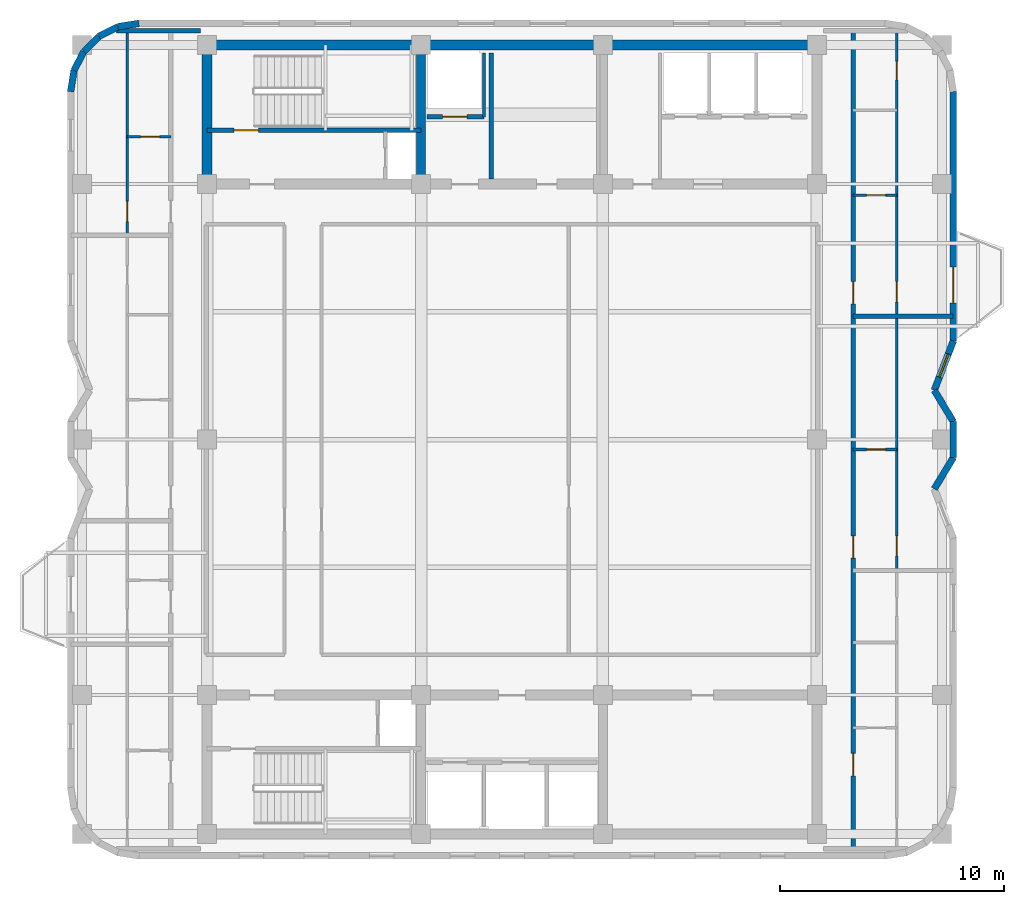
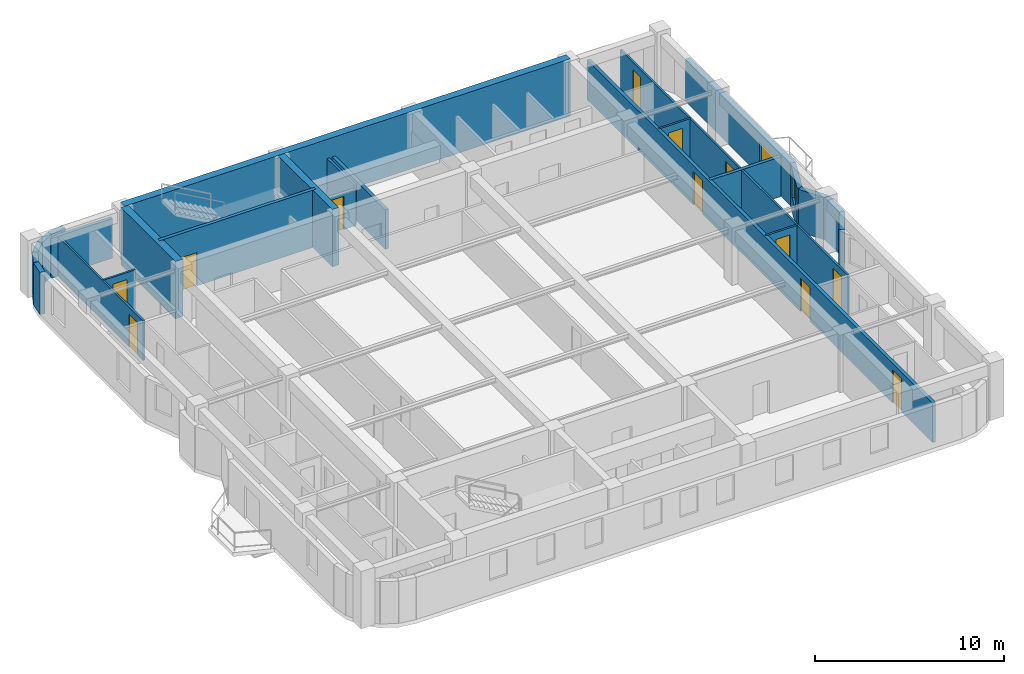
# One storey, part 5 of 8: 26 walls, 13 doors, 1 window, 14 openings.
"""IFC4 building model written with IfcOpenShell, lengths in metres."""

from ifc_helpers import new_model, si_unit, direction, frame, frame_2d, origin, place, context, subcontext, project, spatial, rectangle, extrude, material, layer, layer_set, type_object, element, fill, save


model = new_model("IFC4")

# Units and contexts
model_context = context("Model", 3, precision=1e-05, world=origin(), true_north=direction((0.0, 1.0)))
body_context = subcontext(model_context, "Body", "Model", "MODEL_VIEW")
ifc_project = project(units=[si_unit("LENGTHUNIT", "METRE"), si_unit("AREAUNIT", "SQUARE_METRE"), si_unit("VOLUMEUNIT", "CUBIC_METRE"), si_unit("PLANEANGLEUNIT", "RADIAN"), si_unit("MASSUNIT", "GRAM", prefix="KILO")], contexts=[model_context])

# Site, building, storey
site_placement = place(None, origin())
site = spatial("IfcSite", under=ifc_project, at=site_placement, CompositionType="ELEMENT")
building_placement = place(site_placement, origin())
building = spatial("IfcBuilding", under=site, at=building_placement, Name="Svetorya Sky Lyceum", CompositionType="ELEMENT")
storey_placement = place(building_placement, frame((0.0, 0.0, 233.199951171875)))
storey = spatial("IfcBuildingStorey", under=building, at=storey_placement, Name="L58", CompositionType="ELEMENT", Elevation=233.199951171875)

# Walls
ifc_material_1 = material(Name="Concrete C40/50", Category="concrete")
ifc_layer_1 = layer(ifc_material_1, 0.39990234375)
ifc_layer_set_1 = layer_set([ifc_layer_1], Name="Concrete C40/50")
wall_type_1 = type_object("IfcWallType", Name="WL-CORE-400", PredefinedType="SHEAR", material=ifc_layer_set_1)
wall_1_placement = place(storey_placement, frame((35.14990234375, 39.824951171875, 0.0), z_axis=(0.0, 0.0, 1.0), x_axis=(0.0, 1.0, 0.0)))
element("IfcWall", 1, at=wall_1_placement, inside=storey, type_object=wall_type_1, Name="L58 NC Internal Shear Web WEB1", PredefinedType="SHEAR", context=body_context, shape_type="SweptSolid", body=[
    extrude(rectangle(XDim=5.75, YDim=0.39990234375, at=frame_2d((2.875, 0.0))), origin(), (0.0, 0.0, 1.0), 3.699951171875),
])
ifc_material_2 = material(Name="Concrete C50/60", Category="concrete")
ifc_layer_2 = layer(ifc_material_2, 0.449951171875)
ifc_layer_set_2 = layer_set([ifc_layer_2], Name="Concrete C50/60")
wall_type_2 = type_object("IfcWallType", Name="WL-CORE-450", PredefinedType="SHEAR", material=ifc_layer_set_2)
wall_2_placement = place(storey_placement, frame((25.60009765625, 45.800048828125, 0.0), z_axis=(0.0, 0.0, 1.0), x_axis=(1.0, 0.0, 0.0)))
element("IfcWall", 2, at=wall_2_placement, inside=storey, type_object=wall_type_2, Name="L58 NC Outer Core Shear Wall", PredefinedType="SHEAR", context=body_context, shape_type="SweptSolid", body=[
    extrude(rectangle(XDim=27.199951171875, YDim=0.449951171875, at=frame_2d((13.60009765625, 0.0))), origin(), (0.0, 0.0, 1.0), 3.699951171875),
])
wall_3_placement = place(storey_placement, frame((25.60009765625, 39.824951171875, 0.0), z_axis=(0.0, 0.0, 1.0), x_axis=(0.0, 1.0, 0.0)))
element("IfcWall", 3, at=wall_3_placement, inside=storey, type_object=wall_type_2, Name="L58 NC West Core Shear Wall", PredefinedType="SHEAR", context=body_context, shape_type="SweptSolid", body=[
    extrude(rectangle(XDim=5.75, YDim=0.449951171875, at=frame_2d((2.875, 0.0))), origin(), (0.0, 0.0, 1.0), 3.699951171875),
])
ifc_material_3 = material(Name="Putilovo limestone rainscreen on autoclaved cellular masonry", Category="masonry")
ifc_layer_3 = layer(ifc_material_3, 0.300048828125)
ifc_layer_set_3 = layer_set([ifc_layer_3], Name="Putilovo limestone rainscreen on autoclaved cellular masonry")
wall_type_3 = type_object("IfcWallType", Name="WL-EXT-300", PredefinedType="SOLIDWALL", material=ifc_layer_set_3)
wall_4_placement = place(storey_placement, frame((58.0400390625, 26.0, 0.0), z_axis=(0.0, 0.0, 1.0), x_axis=(0.518939231806, 0.854811133346, 0.0)))
element("IfcWall", 4, at=wall_4_placement, inside=storey, type_object=wall_type_3, Name="L58 Limestone Exterior Wall 14M", PredefinedType="SOLIDWALL", context=body_context, shape_type="SweptSolid", body=[
    extrude(rectangle(XDim=1.6376953125, YDim=0.300048828125, at=frame_2d((0.81884765625, 0.0))), origin(), (0.0, 0.0, 1.0), 2.72998046875),
])
wall_5_placement = place(storey_placement, frame((58.889892578125, 27.39990234375, 0.0), z_axis=(0.0, 0.0, 1.0), x_axis=(0.0, 1.0, 0.0)))
element("IfcWall", 5, at=wall_5_placement, inside=storey, type_object=wall_type_3, Name="L58 Limestone Exterior Wall 15M", PredefinedType="SOLIDWALL", context=body_context, shape_type="SweptSolid", body=[
    extrude(rectangle(XDim=1.60009765625, YDim=0.300048828125, at=frame_2d((0.800048828125, 0.0))), origin(), (0.0, 0.0, 1.0), 2.72998046875),
])
wall_6_placement = place(storey_placement, frame((58.889892578125, 29.0, 0.0), z_axis=(0.0, 0.0, 1.0), x_axis=(-0.518939231806, 0.854811133346, 0.0)))
element("IfcWall", 6, at=wall_6_placement, inside=storey, type_object=wall_type_3, Name="L58 Limestone Exterior Wall 16M", PredefinedType="SOLIDWALL", context=body_context, shape_type="SweptSolid", body=[
    extrude(rectangle(XDim=1.6376953125, YDim=0.300048828125, at=frame_2d((0.81884765625, 0.0))), origin(), (0.0, 0.0, 1.0), 2.72998046875),
])

# Wall, opening, window
wall_7_placement = place(storey_placement, frame((58.0400390625, 30.39990234375, 0.0), z_axis=(0.0, 0.0, 1.0), x_axis=(0.360317400447, 0.932829765249, 0.0)))
wall_7 = element("IfcWall", 7, at=wall_7_placement, inside=storey, type_object=wall_type_3, Name="L58 Limestone Exterior Wall 17M", PredefinedType="SOLIDWALL", context=body_context, shape_type="SweptSolid", body=[
    extrude(rectangle(XDim=2.358642578125, YDim=0.300048828125, at=frame_2d((1.17919921875, 0.0))), origin(), (0.0, 0.0, 1.0), 2.72998046875),
])
opening_1_placement = place(wall_7_placement, frame((0.629150390625, 0.0, 0.919921875)))
opening_1 = element("IfcOpeningElement", 8, at=opening_1_placement, cuts=wall_7, Name="Opening W-R3", PredefinedType="OPENING", context=body_context, shape_type="SweptSolid", body=[
    extrude(rectangle(XDim=1.10009765625, YDim=1.64990234375, at=frame_2d((0.550048828125, 0.824951171875))), frame((0.0, 0.159912109375, 0.0), z_axis=(0.0, -1.0, 0.0), x_axis=(1.0, 0.0, 0.0)), (0.0, 0.0, 1.0), 0.320068359375),
])
ifc_material_4 = material(Name="Thermally broken aluminium frame with triple low-E glazing", Category="aluminium")
window_type = type_object("IfcWindowType", Name="WN-RES-110", PartitioningType="SINGLE_PANEL", PredefinedType="WINDOW", material=ifc_material_4)
window_placement = place(opening_1_placement, origin())
window = element("IfcWindow", 9, at=window_placement, inside=storey, type_object=window_type, Name="L58 Facade Window W-R3.17M.1", OverallHeight=1.64990234375, OverallWidth=1.10009765625, PartitioningType="SINGLE_PANEL", PredefinedType="WINDOW", context=body_context, shape_type="SweptSolid", body=[
    extrude(rectangle(XDim=1.10009765625, YDim=1.64990234375, at=frame_2d((0.550048828125, 0.824951171875))), frame((0.0, 0.030029296875, 0.0), z_axis=(0.0, -1.0, 0.0), x_axis=(1.0, 0.0, 0.0)), (0.0, 0.0, 1.0), 0.06005859375),
])
fill(opening_1, window)

# Wall, opening, door
wall_8_placement = place(storey_placement, frame((58.889892578125, 32.60009765625, 0.0), z_axis=(0.0, 0.0, 1.0), x_axis=(0.0, 1.0, 0.0)))
wall_8 = element("IfcWall", 10, at=wall_8_placement, inside=storey, type_object=wall_type_3, Name="L58 Limestone Exterior Wall 18M", PredefinedType="SOLIDWALL", context=body_context, shape_type="SweptSolid", body=[
    extrude(rectangle(XDim=11.119873046875, YDim=0.300048828125, at=frame_2d((5.56005859375, 0.0))), origin(), (0.0, 0.0, 1.0), 2.72998046875),
])
opening_2_placement = place(wall_8_placement, frame((1.699951171875, 0.0, 0.0)))
opening_2 = element("IfcOpeningElement", 11, at=opening_2_placement, cuts=wall_8, Name="Opening D-BL1", PredefinedType="OPENING", context=body_context, shape_type="SweptSolid", body=[
    extrude(rectangle(XDim=1.60009765625, YDim=2.10009765625, at=frame_2d((0.800048828125, 1.050048828125))), frame((0.0, 0.159912109375, 0.0), z_axis=(0.0, -1.0, 0.0), x_axis=(1.0, 0.0, 0.0)), (0.0, 0.0, 1.0), 0.320068359375),
])
ifc_material_5 = material(Name="Insulated glazed aluminium balcony door", Category="aluminium")
door_type_1 = type_object("IfcDoorType", Name="DR-BAL-1600", OperationType="DOUBLE_DOOR_SINGLE_SWING", PredefinedType="DOOR", material=ifc_material_5)
door_1_placement = place(opening_2_placement, origin())
door_1 = element("IfcDoor", 12, at=door_1_placement, inside=storey, type_object=door_type_1, Name="L58 Balcony BAL-E1 Door", OperationType="DOUBLE_DOOR_SINGLE_SWING", OverallHeight=2.10009765625, OverallWidth=1.60009765625, PredefinedType="DOOR", context=body_context, shape_type="SweptSolid", body=[
    extrude(rectangle(XDim=1.60009765625, YDim=2.10009765625, at=frame_2d((0.800048828125, 1.050048828125))), frame((0.0, 0.02490234375, 0.0), z_axis=(0.0, -1.0, 0.0), x_axis=(1.0, 0.0, 0.0)), (0.0, 0.0, 1.0), 0.050048828125),
])
fill(opening_2, door_1)

# Walls
wall_9_placement = place(storey_placement, frame((22.56005859375, 46.77001953125, 0.0), z_axis=(0.0, 0.0, 1.0), x_axis=(-0.987669453596, -0.156553666304, 0.0)))
element("IfcWall", 13, at=wall_9_placement, inside=storey, type_object=wall_type_3, Name="L58 Limestone Exterior Wall 25M", PredefinedType="SOLIDWALL", context=body_context, shape_type="SweptSolid", body=[
    extrude(rectangle(XDim=0.954345703125, YDim=0.300048828125, at=frame_2d((0.47705078125, 0.0))), origin(), (0.0, 0.0, 1.0), 2.72998046875),
])
wall_10_placement = place(storey_placement, frame((21.617431640625, 46.62060546875, 0.0), z_axis=(0.0, 0.0, 1.0), x_axis=(-0.891023873617, -0.45395644796, 0.0)))
element("IfcWall", 14, at=wall_10_placement, inside=storey, type_object=wall_type_3, Name="L58 Limestone Exterior Wall 26M", PredefinedType="SOLIDWALL", context=body_context, shape_type="SweptSolid", body=[
    extrude(rectangle(XDim=0.9541015625, YDim=0.300048828125, at=frame_2d((0.47705078125, 0.0))), origin(), (0.0, 0.0, 1.0), 2.72998046875),
])
wall_11_placement = place(storey_placement, frame((20.767333984375, 46.1875, 0.0), z_axis=(0.0, 0.0, 1.0), x_axis=(-0.707106781187, -0.707106781187, 0.0)))
element("IfcWall", 15, at=wall_11_placement, inside=storey, type_object=wall_type_3, Name="L58 Limestone Exterior Wall 27M", PredefinedType="SOLIDWALL", context=body_context, shape_type="SweptSolid", body=[
    extrude(rectangle(XDim=0.954345703125, YDim=0.300048828125, at=frame_2d((0.47705078125, 0.0))), origin(), (0.0, 0.0, 1.0), 2.72998046875),
])
wall_12_placement = place(storey_placement, frame((20.092529296875, 45.5126953125, 0.0), z_axis=(0.0, 0.0, 1.0), x_axis=(-0.454159573051, -0.890920356825, 0.0)))
element("IfcWall", 16, at=wall_12_placement, inside=storey, type_object=wall_type_3, Name="L58 Limestone Exterior Wall 28M", PredefinedType="SOLIDWALL", context=body_context, shape_type="SweptSolid", body=[
    extrude(rectangle(XDim=0.9541015625, YDim=0.300048828125, at=frame_2d((0.47705078125, 0.0))), origin(), (0.0, 0.0, 1.0), 2.72998046875),
])
wall_13_placement = place(storey_placement, frame((19.6591796875, 44.66259765625, 0.0), z_axis=(0.0, 0.0, 1.0), x_axis=(-0.156304114255, -0.987708977314, 0.0)))
element("IfcWall", 17, at=wall_13_placement, inside=storey, type_object=wall_type_3, Name="L58 Limestone Exterior Wall 29M", PredefinedType="SOLIDWALL", context=body_context, shape_type="SweptSolid", body=[
    extrude(rectangle(XDim=0.954345703125, YDim=0.300048828125, at=frame_2d((0.47705078125, 0.0))), origin(), (0.0, 0.0, 1.0), 2.72998046875),
])

# Wall, opening, door
ifc_material_6 = material(Name="Twin-stud galvanized framing with double fireboard", Category="gypsum")
ifc_layer_4 = layer(ifc_material_6, 0.1201171875)
ifc_layer_set_4 = layer_set([ifc_layer_4], Name="Twin-stud galvanized framing with double fireboard")
wall_type_4 = type_object("IfcWallType", Name="WL-PART-120", PredefinedType="PARTITIONING", material=ifc_layer_set_4)
wall_14_placement = place(storey_placement, frame((22.030029296875, 41.705078125, 0.0), z_axis=(0.0, 0.0, 1.0), x_axis=(1.0, 0.0, 0.0)))
wall_14 = element("IfcWall", 18, at=wall_14_placement, inside=storey, type_object=wall_type_4, Name="L58 Interior Partition W4-WH1", PredefinedType="PARTITIONING", context=body_context, shape_type="SweptSolid", body=[
    extrude(rectangle(XDim=1.949951171875, YDim=0.1201171875, at=frame_2d((0.97509765625, 0.0))), origin(), (0.0, 0.0, 1.0), 2.56005859375),
])
opening_3_placement = place(wall_14_placement, frame((0.60009765625, 0.0, 0.0)))
opening_3 = element("IfcOpeningElement", 19, at=opening_3_placement, cuts=wall_14, Name="Opening D-BT1", PredefinedType="OPENING", context=body_context, shape_type="SweptSolid", body=[
    extrude(rectangle(XDim=0.85009765625, YDim=2.10009765625, at=frame_2d((0.425048828125, 1.050048828125))), frame((0.0, 0.070068359375, 0.0), z_axis=(0.0, -1.0, 0.0), x_axis=(1.0, 0.0, 0.0)), (0.0, 0.0, 1.0), 0.14013671875),
])
ifc_material_7 = material(Name="Moisture-resistant laminate bathroom door")
door_type_2 = type_object("IfcDoorType", Name="DR-WET-850", OperationType="SINGLE_SWING_LEFT", PredefinedType="DOOR", material=ifc_material_7)
door_2_placement = place(opening_3_placement, origin())
door_2 = element("IfcDoor", 20, at=door_2_placement, inside=storey, type_object=door_type_2, Name="Apartment W4 Bathroom Door", OperationType="SINGLE_SWING_RIGHT", OverallHeight=2.10009765625, OverallWidth=0.85009765625, PredefinedType="DOOR", context=body_context, shape_type="SweptSolid", body=[
    extrude(rectangle(XDim=0.85009765625, YDim=2.10009765625, at=frame_2d((0.425048828125, 1.050048828125))), frame((0.0, 0.02490234375, 0.0), z_axis=(0.0, -1.0, 0.0), x_axis=(1.0, 0.0, 0.0)), (0.0, 0.0, 1.0), 0.050048828125),
])
fill(opening_3, door_2)

wall_15_placement = place(storey_placement, frame((22.030029296875, 37.364990234375, 0.0), z_axis=(0.0, 0.0, 1.0), x_axis=(0.0, 1.0, 0.0)))
wall_15 = element("IfcWall", 21, at=wall_15_placement, inside=storey, type_object=wall_type_4, Name="L58 Interior Partition W4-WV", PredefinedType="PARTITIONING", context=body_context, shape_type="SweptSolid", body=[
    extrude(rectangle(XDim=9.044921875, YDim=0.1201171875, at=frame_2d((4.5224609375, 0.0))), origin(), (0.0, 0.0, 1.0), 2.56005859375),
])
opening_4_placement = place(wall_15_placement, frame((0.56005859375, 0.0, 0.0)))
opening_4 = element("IfcOpeningElement", 22, at=opening_4_placement, cuts=wall_15, Name="Opening D-RM1", PredefinedType="OPENING", context=body_context, shape_type="SweptSolid", body=[
    extrude(rectangle(XDim=0.89990234375, YDim=2.10009765625, at=frame_2d((0.449951171875, 1.050048828125))), frame((0.0, 0.070068359375, 0.0), z_axis=(0.0, -1.0, 0.0), x_axis=(1.0, 0.0, 0.0)), (0.0, 0.0, 1.0), 0.14013671875),
])
ifc_material_8 = material(Name="Lacquered birch veneer internal door")
door_type_3 = type_object("IfcDoorType", Name="DR-INT-900", OperationType="SINGLE_SWING_LEFT", PredefinedType="DOOR", material=ifc_material_8)
door_3_placement = place(opening_4_placement, origin())
door_3 = element("IfcDoor", 23, at=door_3_placement, inside=storey, type_object=door_type_3, Name="Apartment W4 Living Door", OperationType="SINGLE_SWING_LEFT", OverallHeight=2.10009765625, OverallWidth=0.89990234375, PredefinedType="DOOR", context=body_context, shape_type="SweptSolid", body=[
    extrude(rectangle(XDim=0.89990234375, YDim=2.10009765625, at=frame_2d((0.449951171875, 1.050048828125))), frame((0.0, 0.02490234375, 0.0), z_axis=(0.0, -1.0, 0.0), x_axis=(1.0, 0.0, 0.0)), (0.0, 0.0, 1.0), 0.050048828125),
])
fill(opening_4, door_3)

wall_16_placement = place(storey_placement, frame((54.419921875, 27.760009765625, 0.0), z_axis=(0.0, 0.0, 1.0), x_axis=(1.0, 0.0, 0.0)))
wall_16 = element("IfcWall", 24, at=wall_16_placement, inside=storey, type_object=wall_type_4, Name="L58 Interior Partition E2-WH1", PredefinedType="PARTITIONING", context=body_context, shape_type="SweptSolid", body=[
    extrude(rectangle(XDim=1.9501953125, YDim=0.1201171875, at=frame_2d((0.97509765625, 0.0))), origin(), (0.0, 0.0, 1.0), 2.56005859375),
])
opening_5_placement = place(wall_16_placement, frame((0.60009765625, 0.0, 0.0)))
opening_5 = element("IfcOpeningElement", 25, at=opening_5_placement, cuts=wall_16, Name="Opening D-BT1", PredefinedType="OPENING", context=body_context, shape_type="SweptSolid", body=[
    extrude(rectangle(XDim=0.85009765625, YDim=2.10009765625, at=frame_2d((0.425048828125, 1.050048828125))), frame((0.0, 0.070068359375, 0.0), z_axis=(0.0, -1.0, 0.0), x_axis=(1.0, 0.0, 0.0)), (0.0, 0.0, 1.0), 0.14013671875),
])
door_4_placement = place(opening_5_placement, origin())
door_4 = element("IfcDoor", 26, at=door_4_placement, inside=storey, type_object=door_type_2, Name="Apartment E2 Bathroom Door", OperationType="SINGLE_SWING_LEFT", OverallHeight=2.10009765625, OverallWidth=0.85009765625, PredefinedType="DOOR", context=body_context, shape_type="SweptSolid", body=[
    extrude(rectangle(XDim=0.85009765625, YDim=2.10009765625, at=frame_2d((0.425048828125, 1.050048828125))), frame((0.0, 0.02490234375, 0.0), z_axis=(0.0, -1.0, 0.0), x_axis=(1.0, 0.0, 0.0)), (0.0, 0.0, 1.0), 0.050048828125),
])
fill(opening_5, door_4)

wall_17_placement = place(storey_placement, frame((56.3701171875, 22.39990234375, 0.0), z_axis=(0.0, 0.0, 1.0), x_axis=(0.0, 1.0, 0.0)))
wall_17 = element("IfcWall", 27, at=wall_17_placement, inside=storey, type_object=wall_type_4, Name="L58 Interior Partition E2-WV", PredefinedType="PARTITIONING", context=body_context, shape_type="SweptSolid", body=[
    extrude(rectangle(XDim=11.260009765625, YDim=0.1201171875, at=frame_2d((5.6298828125, 0.0))), origin(), (0.0, 0.0, 1.0), 2.56005859375),
])
opening_6_placement = place(wall_17_placement, frame((0.610107421875, 0.0, 0.0)))
opening_6 = element("IfcOpeningElement", 28, at=opening_6_placement, cuts=wall_17, Name="Opening D-RM1", PredefinedType="OPENING", context=body_context, shape_type="SweptSolid", body=[
    extrude(rectangle(XDim=0.89990234375, YDim=2.10009765625, at=frame_2d((0.449951171875, 1.050048828125))), frame((0.0, 0.070068359375, 0.0), z_axis=(0.0, -1.0, 0.0), x_axis=(1.0, 0.0, 0.0)), (0.0, 0.0, 1.0), 0.14013671875),
])
door_5_placement = place(opening_6_placement, origin())
door_5 = element("IfcDoor", 29, at=door_5_placement, inside=storey, type_object=door_type_3, Name="Apartment E2 Living Door", OperationType="SINGLE_SWING_RIGHT", OverallHeight=2.10009765625, OverallWidth=0.89990234375, PredefinedType="DOOR", context=body_context, shape_type="SweptSolid", body=[
    extrude(rectangle(XDim=0.89990234375, YDim=2.10009765625, at=frame_2d((0.449951171875, 1.050048828125))), frame((0.0, 0.02490234375, 0.0), z_axis=(0.0, -1.0, 0.0), x_axis=(1.0, 0.0, 0.0)), (0.0, 0.0, 1.0), 0.050048828125),
])
fill(opening_6, door_5)

wall_18_placement = place(storey_placement, frame((54.419921875, 39.10009765625, 0.0), z_axis=(0.0, 0.0, 1.0), x_axis=(1.0, 0.0, 0.0)))
wall_18 = element("IfcWall", 30, at=wall_18_placement, inside=storey, type_object=wall_type_4, Name="L58 Interior Partition E3-WH1", PredefinedType="PARTITIONING", context=body_context, shape_type="SweptSolid", body=[
    extrude(rectangle(XDim=1.9501953125, YDim=0.1201171875, at=frame_2d((0.97509765625, 0.0))), origin(), (0.0, 0.0, 1.0), 2.56005859375),
])
opening_7_placement = place(wall_18_placement, frame((0.60009765625, 0.0, 0.0)))
opening_7 = element("IfcOpeningElement", 31, at=opening_7_placement, cuts=wall_18, Name="Opening D-BT1", PredefinedType="OPENING", context=body_context, shape_type="SweptSolid", body=[
    extrude(rectangle(XDim=0.85009765625, YDim=2.10009765625, at=frame_2d((0.425048828125, 1.050048828125))), frame((0.0, 0.070068359375, 0.0), z_axis=(0.0, -1.0, 0.0), x_axis=(1.0, 0.0, 0.0)), (0.0, 0.0, 1.0), 0.14013671875),
])
door_6_placement = place(opening_7_placement, origin())
door_6 = element("IfcDoor", 32, at=door_6_placement, inside=storey, type_object=door_type_2, Name="Apartment E3 Bathroom Door", OperationType="SINGLE_SWING_RIGHT", OverallHeight=2.10009765625, OverallWidth=0.85009765625, PredefinedType="DOOR", context=body_context, shape_type="SweptSolid", body=[
    extrude(rectangle(XDim=0.85009765625, YDim=2.10009765625, at=frame_2d((0.425048828125, 1.050048828125))), frame((0.0, 0.02490234375, 0.0), z_axis=(0.0, -1.0, 0.0), x_axis=(1.0, 0.0, 0.0)), (0.0, 0.0, 1.0), 0.050048828125),
])
fill(opening_7, door_6)

# Wall, openings, doors
wall_19_placement = place(storey_placement, frame((56.3701171875, 33.739990234375, 0.0), z_axis=(0.0, 0.0, 1.0), x_axis=(0.0, 1.0, 0.0)))
wall_19 = element("IfcWall", 33, at=wall_19_placement, inside=storey, type_object=wall_type_4, Name="L58 Interior Partition E3-WV", PredefinedType="PARTITIONING", context=body_context, shape_type="SweptSolid", body=[
    extrude(rectangle(XDim=12.669921875, YDim=0.1201171875, at=frame_2d((6.3349609375, 0.0))), origin(), (0.0, 0.0, 1.0), 2.56005859375),
])
opening_8_placement = place(wall_19_placement, frame((0.610107421875, 0.0, 0.0)))
opening_8 = element("IfcOpeningElement", 34, at=opening_8_placement, cuts=wall_19, Name="Opening D-RM1", PredefinedType="OPENING", context=body_context, shape_type="SweptSolid", body=[
    extrude(rectangle(XDim=0.89990234375, YDim=2.10009765625, at=frame_2d((0.449951171875, 1.050048828125))), frame((0.0, 0.070068359375, 0.0), z_axis=(0.0, -1.0, 0.0), x_axis=(1.0, 0.0, 0.0)), (0.0, 0.0, 1.0), 0.14013671875),
])
opening_9_placement = place(wall_19_placement, frame((10.510009765625, 0.0, 0.0)))
opening_9 = element("IfcOpeningElement", 35, at=opening_9_placement, cuts=wall_19, Name="Opening D-BT2", PredefinedType="OPENING", context=body_context, shape_type="SweptSolid", body=[
    extrude(rectangle(XDim=0.820068359375, YDim=2.080078125, at=frame_2d((0.41015625, 1.0400390625))), frame((0.0, 0.070068359375, 0.0), z_axis=(0.0, -1.0, 0.0), x_axis=(1.0, 0.0, 0.0)), (0.0, 0.0, 1.0), 0.14013671875),
])
door_7_placement = place(opening_8_placement, origin())
door_7 = element("IfcDoor", 36, at=door_7_placement, inside=storey, type_object=door_type_3, Name="Apartment E3 Living Door", OperationType="SINGLE_SWING_LEFT", OverallHeight=2.10009765625, OverallWidth=0.89990234375, PredefinedType="DOOR", context=body_context, shape_type="SweptSolid", body=[
    extrude(rectangle(XDim=0.89990234375, YDim=2.10009765625, at=frame_2d((0.449951171875, 1.050048828125))), frame((0.0, 0.02490234375, 0.0), z_axis=(0.0, -1.0, 0.0), x_axis=(1.0, 0.0, 0.0)), (0.0, 0.0, 1.0), 0.050048828125),
])
fill(opening_8, door_7)
ifc_material_9 = material(Name="Compact moisture-resistant laminate closet door")
door_type_4 = type_object("IfcDoorType", Name="DR-WET-820", OperationType="SINGLE_SWING_LEFT", PredefinedType="DOOR", material=ifc_material_9)
door_8_placement = place(opening_9_placement, origin())
door_8 = element("IfcDoor", 37, at=door_8_placement, inside=storey, type_object=door_type_4, Name="Apartment E3 Study Door", OperationType="SINGLE_SWING_RIGHT", OverallHeight=2.080078125, OverallWidth=0.820068359375, PredefinedType="DOOR", context=body_context, shape_type="SweptSolid", body=[
    extrude(rectangle(XDim=0.820068359375, YDim=2.080078125, at=frame_2d((0.41015625, 1.0400390625))), frame((0.0, 0.02490234375, 0.0), z_axis=(0.0, -1.0, 0.0), x_axis=(1.0, 0.0, 0.0)), (0.0, 0.0, 1.0), 0.050048828125),
])
fill(opening_9, door_8)

# Wall
ifc_material_10 = material(Name="Autoclaved cellular masonry blockwork with acoustic render", Category="masonry")
ifc_layer_5 = layer(ifc_material_10, 0.14990234375)
ifc_layer_set_5 = layer_set([ifc_layer_5], Name="Autoclaved cellular masonry blockwork with acoustic render")
wall_type_5 = type_object("IfcWallType", Name="WL-PART-150", PredefinedType="PARTITIONING", material=ifc_layer_set_5)
wall_20_placement = place(storey_placement, frame((37.949951171875, 42.60009765625, 0.0), z_axis=(0.0, 0.0, 1.0), x_axis=(0.0, 1.0, 0.0)))
element("IfcWall", 38, at=wall_20_placement, inside=storey, type_object=wall_type_5, Name="L58 Interior Partition NC-FL1SIDE", PredefinedType="PARTITIONING", context=body_context, shape_type="SweptSolid", body=[
    extrude(rectangle(XDim=2.849853515625, YDim=0.14990234375, at=frame_2d((1.4248046875, 0.0))), origin(), (0.0, 0.0, 1.0), 2.56005859375),
])

# Wall, opening, door
ifc_material_11 = material(Name="Autoclaved cellular masonry blockwork with gypsum plaster", Category="masonry")
ifc_layer_6 = layer(ifc_material_11, 0.199951171875)
ifc_layer_set_6 = layer_set([ifc_layer_6], Name="Autoclaved cellular masonry blockwork with gypsum plaster")
wall_type_6 = type_object("IfcWallType", Name="WL-PART-200", PredefinedType="PARTITIONING", material=ifc_layer_set_6)
wall_21_placement = place(storey_placement, frame((37.949951171875, 42.60009765625, 0.0), z_axis=(0.0, 0.0, 1.0), x_axis=(-1.0, 0.0, 0.0)))
wall_21 = element("IfcWall", 39, at=wall_21_placement, inside=storey, type_object=wall_type_6, Name="L58 Interior Partition NC-FL1W", PredefinedType="PARTITIONING", context=body_context, shape_type="SweptSolid", body=[
    extrude(rectangle(XDim=2.550048828125, YDim=0.199951171875, at=frame_2d((1.27490234375, 0.0))), origin(), (0.0, 0.0, 1.0), 2.330078125),
])
opening_10_placement = place(wall_21_placement, frame((0.75, 0.0, 0.0)))
opening_10 = element("IfcOpeningElement", 40, at=opening_10_placement, cuts=wall_21, Name="Opening LD-FL", PredefinedType="OPENING", context=body_context, shape_type="SweptSolid", body=[
    extrude(rectangle(XDim=1.10009765625, YDim=2.14990234375, at=frame_2d((0.550048828125, 1.074951171875))), frame((0.0, 0.10986328125, 0.0), z_axis=(0.0, -1.0, 0.0), x_axis=(1.0, 0.0, 0.0)), (0.0, 0.0, 1.0), 0.219970703125),
])
ifc_material_12 = material(Name="Fire-rated stainless AISI 304 firefighting lift landing door")
door_type_5 = type_object("IfcDoorType", Name="DR-LIFT-1100", OperationType="SLIDING_TO_LEFT", PredefinedType="DOOR", material=ifc_material_12)
door_9_placement = place(opening_10_placement, origin())
door_9 = element("IfcDoor", 41, at=door_9_placement, inside=storey, type_object=door_type_5, Name="L58 Firefighting Lift FL1 Landing Door", OperationType="SLIDING_TO_LEFT", OverallHeight=2.14990234375, OverallWidth=1.10009765625, PredefinedType="DOOR", context=body_context, shape_type="SweptSolid", body=[
    extrude(rectangle(XDim=1.10009765625, YDim=2.14990234375, at=frame_2d((0.550048828125, 1.074951171875))), frame((0.0, 0.02490234375, 0.0), z_axis=(0.0, -1.0, 0.0), x_axis=(1.0, 0.0, 0.0)), (0.0, 0.0, 1.0), 0.050048828125),
])
fill(opening_10, door_9)

# Walls
wall_22_placement = place(storey_placement, frame((38.280029296875, 39.820068359375, 0.0), z_axis=(0.0, 0.0, 1.0), x_axis=(0.0, 1.0, 0.0)))
element("IfcWall", 42, at=wall_22_placement, inside=storey, type_object=wall_type_6, Name="L58 Interior Partition NC-FFLDIV", PredefinedType="PARTITIONING", context=body_context, shape_type="SweptSolid", body=[
    extrude(rectangle(XDim=5.6298828125, YDim=0.199951171875, at=frame_2d((2.81494140625, 0.0))), origin(), (0.0, 0.0, 1.0), 2.56005859375),
])
wall_23_placement = place(storey_placement, frame((21.5458984375, 46.449951171875, 0.0), z_axis=(0.0, 0.0, 1.0), x_axis=(1.0, 0.0, 0.0)))
element("IfcWall", 43, at=wall_23_placement, inside=storey, type_object=wall_type_6, Name="L58 Interior Partition W-CAP-N", PredefinedType="PARTITIONING", context=body_context, shape_type="SweptSolid", body=[
    extrude(rectangle(XDim=3.754150390625, YDim=0.199951171875, at=frame_2d((1.876953125, 0.0))), origin(), (0.0, 0.0, 1.0), 2.56005859375),
])
wall_24_placement = place(storey_placement, frame((54.419921875, 33.699951171875, 0.0), z_axis=(0.0, 0.0, 1.0), x_axis=(1.0, 0.0, 0.0)))
element("IfcWall", 44, at=wall_24_placement, inside=storey, type_object=wall_type_6, Name="L58 Interior Partition E-PARTY-2", PredefinedType="PARTITIONING", context=body_context, shape_type="SweptSolid", body=[
    extrude(rectangle(XDim=4.4501953125, YDim=0.199951171875, at=frame_2d((2.22509765625, 0.0))), origin(), (0.0, 0.0, 1.0), 2.56005859375),
])

# Wall, openings, doors
wall_25_placement = place(storey_placement, frame((54.419921875, 9.949951171875, 0.0), z_axis=(0.0, 0.0, 1.0), x_axis=(0.0, 1.0, 0.0)))
wall_25 = element("IfcWall", 45, at=wall_25_placement, inside=storey, type_object=wall_type_6, Name="L58 Interior Partition E-CORRW", PredefinedType="PARTITIONING", context=body_context, shape_type="SweptSolid", body=[
    extrude(rectangle(XDim=36.5, YDim=0.199951171875, at=frame_2d((18.25, 0.0))), origin(), (0.0, 0.0, 1.0), 2.56005859375),
])
opening_11_placement = place(wall_25_placement, frame((3.25, 0.0, 0.0)))
opening_11 = element("IfcOpeningElement", 46, at=opening_11_placement, cuts=wall_25, Name="Opening D-APT1", PredefinedType="OPENING", context=body_context, shape_type="SweptSolid", body=[
    extrude(rectangle(XDim=1.0, YDim=2.14990234375, at=frame_2d((0.5, 1.074951171875))), frame((0.0, 0.10986328125, 0.0), z_axis=(0.0, -1.0, 0.0), x_axis=(1.0, 0.0, 0.0)), (0.0, 0.0, 1.0), 0.219970703125),
])
opening_12_placement = place(wall_25_placement, frame((12.9599609375, 0.0, 0.0)))
opening_12 = element("IfcOpeningElement", 47, at=opening_12_placement, cuts=wall_25, Name="Opening D-APT1", PredefinedType="OPENING", context=body_context, shape_type="SweptSolid", body=[
    extrude(rectangle(XDim=1.0, YDim=2.14990234375, at=frame_2d((0.5, 1.074951171875))), frame((0.0, 0.10986328125, 0.0), z_axis=(0.0, -1.0, 0.0), x_axis=(1.0, 0.0, 0.0)), (0.0, 0.0, 1.0), 0.219970703125),
])
opening_13_placement = place(wall_25_placement, frame((24.300048828125, 0.0, 0.0)))
opening_13 = element("IfcOpeningElement", 48, at=opening_13_placement, cuts=wall_25, Name="Opening D-APT1", PredefinedType="OPENING", context=body_context, shape_type="SweptSolid", body=[
    extrude(rectangle(XDim=1.0, YDim=2.14990234375, at=frame_2d((0.5, 1.074951171875))), frame((0.0, 0.10986328125, 0.0), z_axis=(0.0, -1.0, 0.0), x_axis=(1.0, 0.0, 0.0)), (0.0, 0.0, 1.0), 0.219970703125),
])
ifc_material_13 = material(Name="Insulated oak-veneered apartment entrance door")
door_type_6 = type_object("IfcDoorType", Name="DR-APT-1000", OperationType="SINGLE_SWING_LEFT", PredefinedType="DOOR", material=ifc_material_13)
door_10_placement = place(opening_11_placement, origin())
door_10 = element("IfcDoor", 49, at=door_10_placement, inside=storey, type_object=door_type_6, Name="L58 Apartment E1 Entrance Door", OperationType="SINGLE_SWING_RIGHT", OverallHeight=2.14990234375, OverallWidth=1.0, PredefinedType="DOOR", context=body_context, shape_type="SweptSolid", body=[
    extrude(rectangle(XDim=1.0, YDim=2.14990234375, at=frame_2d((0.5, 1.074951171875))), frame((0.0, 0.02490234375, 0.0), z_axis=(0.0, -1.0, 0.0), x_axis=(1.0, 0.0, 0.0)), (0.0, 0.0, 1.0), 0.050048828125),
])
fill(opening_11, door_10)
door_11_placement = place(opening_12_placement, origin())
door_11 = element("IfcDoor", 50, at=door_11_placement, inside=storey, type_object=door_type_6, Name="L58 Apartment E2 Entrance Door", OperationType="SINGLE_SWING_LEFT", OverallHeight=2.14990234375, OverallWidth=1.0, PredefinedType="DOOR", context=body_context, shape_type="SweptSolid", body=[
    extrude(rectangle(XDim=1.0, YDim=2.14990234375, at=frame_2d((0.5, 1.074951171875))), frame((0.0, 0.02490234375, 0.0), z_axis=(0.0, -1.0, 0.0), x_axis=(1.0, 0.0, 0.0)), (0.0, 0.0, 1.0), 0.050048828125),
])
fill(opening_12, door_11)
door_12_placement = place(opening_13_placement, origin())
door_12 = element("IfcDoor", 51, at=door_12_placement, inside=storey, type_object=door_type_6, Name="L58 Apartment E3 Entrance Door", OperationType="SINGLE_SWING_RIGHT", OverallHeight=2.14990234375, OverallWidth=1.0, PredefinedType="DOOR", context=body_context, shape_type="SweptSolid", body=[
    extrude(rectangle(XDim=1.0, YDim=2.14990234375, at=frame_2d((0.5, 1.074951171875))), frame((0.0, 0.02490234375, 0.0), z_axis=(0.0, -1.0, 0.0), x_axis=(1.0, 0.0, 0.0)), (0.0, 0.0, 1.0), 0.050048828125),
])
fill(opening_13, door_12)

# Wall, opening, door
ifc_layer_7 = layer(ifc_material_2, 0.199951171875)
ifc_layer_set_7 = layer_set([ifc_layer_7], Name="Concrete C50/60")
wall_type_7 = type_object("IfcWallType", Name="WL-SHW-200", PredefinedType="SHEAR", material=ifc_layer_set_7)
wall_26_placement = place(storey_placement, frame((35.14990234375, 42.0, 0.0), z_axis=(0.0, 0.0, 1.0), x_axis=(-1.0, 0.0, 0.0)))
wall_26 = element("IfcWall", 52, at=wall_26_placement, inside=storey, type_object=wall_type_7, Name="L58 Structural Stair Shaft Wall NC-STW", PredefinedType="SHEAR", context=body_context, shape_type="SweptSolid", body=[
    extrude(rectangle(XDim=9.5498046875, YDim=0.199951171875, at=frame_2d((4.77490234375, 0.0))), origin(), (0.0, 0.0, 1.0), 3.699951171875),
])
opening_14_placement = place(wall_26_placement, frame((7.25, 0.0, 0.0)))
opening_14 = element("IfcOpeningElement", 53, at=opening_14_placement, cuts=wall_26, Name="Opening D-ST1", PredefinedType="OPENING", context=body_context, shape_type="SweptSolid", body=[
    extrude(rectangle(XDim=1.10009765625, YDim=2.14990234375, at=frame_2d((0.550048828125, 1.074951171875))), frame((0.0, 0.10986328125, 0.0), z_axis=(0.0, -1.0, 0.0), x_axis=(1.0, 0.0, 0.0)), (0.0, 0.0, 1.0), 0.219970703125),
])
ifc_material_14 = material(Name="Powder-coated insulated galvanized stair fire door")
door_type_7 = type_object("IfcDoorType", Name="DR-FIRE-1100", OperationType="SINGLE_SWING_LEFT", PredefinedType="DOOR", material=ifc_material_14)
door_13_placement = place(opening_14_placement, origin())
door_13 = element("IfcDoor", 54, at=door_13_placement, inside=storey, type_object=door_type_7, Name="L58 Stair ST-N Vestibule Fire Door", OperationType="SINGLE_SWING_RIGHT", OverallHeight=2.14990234375, OverallWidth=1.10009765625, PredefinedType="DOOR", context=body_context, shape_type="SweptSolid", body=[
    extrude(rectangle(XDim=1.10009765625, YDim=2.14990234375, at=frame_2d((0.550048828125, 1.074951171875))), frame((0.0, 0.02490234375, 0.0), z_axis=(0.0, -1.0, 0.0), x_axis=(1.0, 0.0, 0.0)), (0.0, 0.0, 1.0), 0.050048828125),
])
fill(opening_14, door_13)

save(model, "model.ifc")
